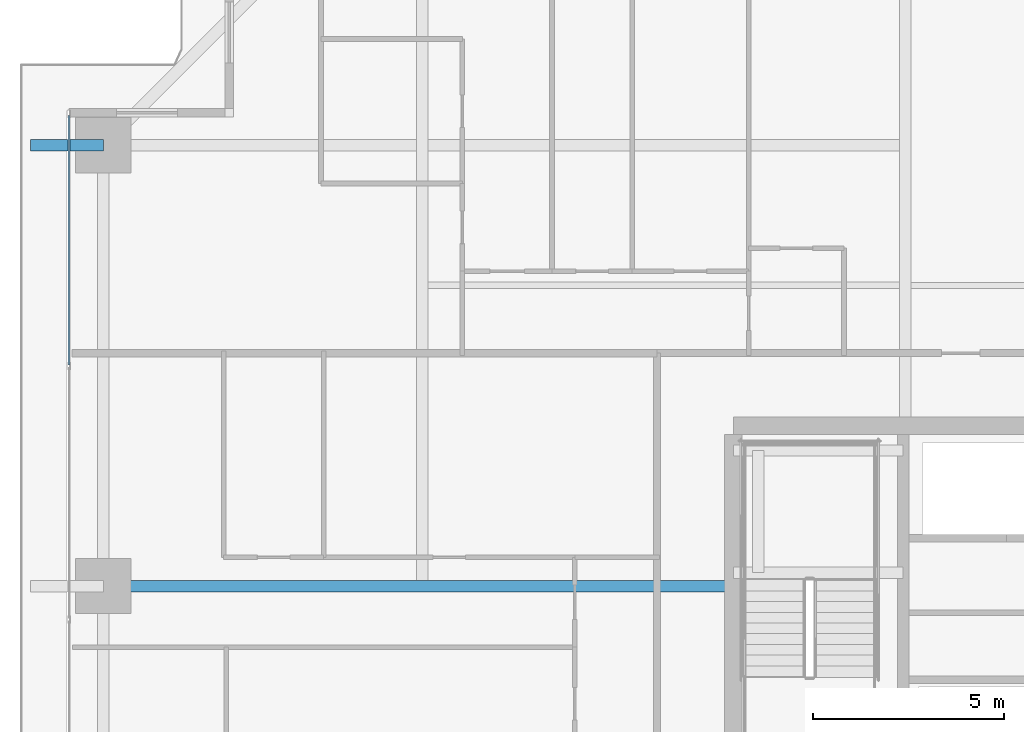
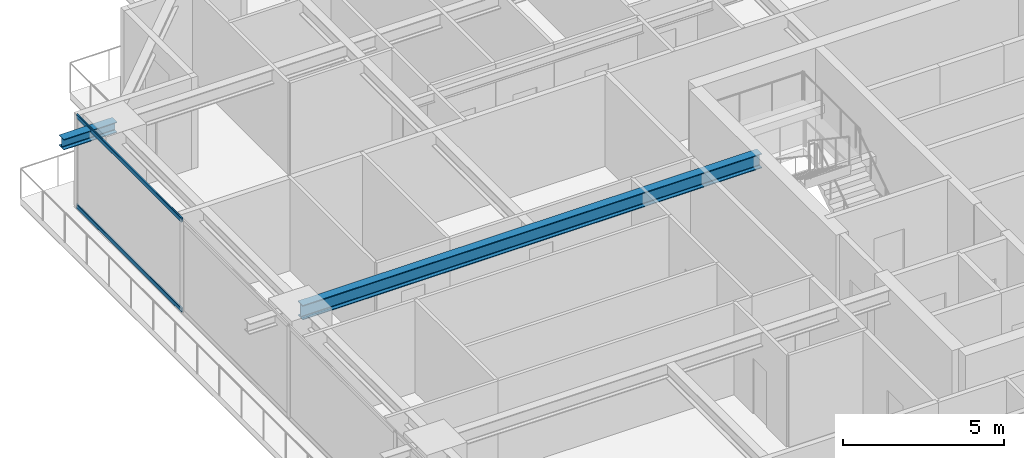
# One storey, part 17 of 39: 2 beams, 2 members, 1 element without a shape of its own.
"""IFC4 building model written with IfcOpenShell, lengths in metres."""

from ifc_helpers import new_model, si_unit, direction, frame, origin, origin_2d, place, context, subcontext, project, spatial, hollow_rectangle, i_section, extrude, source, transform, mapped, material, layer, layer_set, material_profile, profile_set, type_object, element, aggregate, save


model = new_model("IFC4")

# Units and contexts
model_context = context("Model", 3, precision=1e-05, world=origin(), true_north=direction((0.0, 1.0)))
body_context = subcontext(model_context, "Body", "Model", "MODEL_VIEW")
ifc_project = project(units=[si_unit("LENGTHUNIT", "METRE"), si_unit("AREAUNIT", "SQUARE_METRE"), si_unit("VOLUMEUNIT", "CUBIC_METRE"), si_unit("PLANEANGLEUNIT", "RADIAN"), si_unit("MASSUNIT", "GRAM", prefix="KILO")], contexts=[model_context])

# Site, building, storey
site_placement = place(None, origin())
site = spatial("IfcSite", under=ifc_project, at=site_placement, CompositionType="ELEMENT")
building_placement = place(site_placement, origin())
building = spatial("IfcBuilding", under=site, at=building_placement, Name="Serunith Strait Residences", CompositionType="ELEMENT")
storey_placement = place(building_placement, frame((0.0, 0.0, 94.199951171875)))
storey = spatial("IfcBuildingStorey", under=building, at=storey_placement, Name="L23", CompositionType="ELEMENT", Elevation=94.199951171875)

# Beams
ifc_material_1 = material(Name="Steel S355J2", Category="steel")
ifc_material_profile_1 = material_profile(ifc_material_1, i_section(OverallWidth=0.300048828125, OverallDepth=0.550048828125, WebThickness=0.014892578125, FlangeThickness=0.029052734375, FilletRadius=0.027099609375, at=origin_2d()), Name="HEB 550")
ifc_profile_set_1 = profile_set([ifc_material_profile_1], Name="Steel S355J2")
beam_type_1 = type_object("IfcBeamType", Name="BM-HEB550", PredefinedType="BEAM", material=ifc_profile_set_1)
shared_shape_1 = source(origin(), body_context, "Body", "SweptSolid", [
    extrude(i_section(OverallWidth=0.300048828125, OverallDepth=0.550048828125, WebThickness=0.014892578125, FlangeThickness=0.029052734375, FilletRadius=0.027099609375, at=origin_2d()), origin(), (0.0, 0.0, 1.0), 16.5),
])
beam_1_placement = place(storey_placement, frame((23.39990234375, 29.39990234375, 3.212158203125), z_axis=(-1.0, 0.0, 0.0), x_axis=(0.0, -1.0, 0.0)))
element("IfcBeam", 1, at=beam_1_placement, inside=storey, type_object=beam_type_1, Name="L23 Primary Floor Girder TC-W3", PredefinedType="BEAM", context=body_context, shape_type="MappedRepresentation", body=[
    mapped(shared_shape_1, transform((0.0, 0.0, 0.0), scale=1.0)),
])
ifc_material_profile_2 = material_profile(ifc_material_1, i_section(OverallWidth=0.300048828125, OverallDepth=0.39990234375, WebThickness=0.013427734375, FlangeThickness=0.02392578125, FilletRadius=0.027099609375, at=origin_2d()), Name="HEB 400")
ifc_profile_set_2 = profile_set([ifc_material_profile_2], Name="Steel S355J2")
beam_type_2 = type_object("IfcBeamType", Name="BM-HEB400", PredefinedType="BEAM", material=ifc_profile_set_2)
shared_shape_2 = source(origin(), body_context, "Body", "SweptSolid", [
    extrude(i_section(OverallWidth=0.300048828125, OverallDepth=0.39990234375, WebThickness=0.013427734375, FlangeThickness=0.02392578125, FilletRadius=0.027099609375, at=origin_2d()), origin(), (0.0, 0.0, 1.0), 1.909912109375),
])
beam_2_placement = place(storey_placement, frame((6.89990234375, 40.949951171875, 3.257080078125), z_axis=(-1.0, 0.0, 0.0), x_axis=(0.0, -1.0, 0.0)))
element("IfcBeam", 2, at=beam_2_placement, inside=storey, type_object=beam_type_2, Name="L24 Cantilevered Balcony Rib TC-W4", PredefinedType="BEAM", context=body_context, shape_type="MappedRepresentation", body=[
    mapped(shared_shape_2, transform((0.0, 0.0, 0.0), scale=1.0)),
])

# Curtain wall, members
ifc_material_2 = material(Name="Pale-Champagne Anodised Aluminium", Category="aluminium")
ifc_layer = layer(ifc_material_2, 0.199951171875, Name="Pale-Champagne Anodised Aluminium")
ifc_layer_set = layer_set([ifc_layer], Name="Pale-Champagne Anodised Aluminium")
curtain_wall_type = type_object("IfcCurtainWallType", Name="CW-SYS1", PredefinedType="NOTDEFINED", material=ifc_layer_set)
curtain_wall_placement = place(storey_placement, origin())
curtain_wall = element("IfcCurtainWall", 3, at=curtain_wall_placement, inside=storey, type_object=curtain_wall_type, Name="L23 W Unitised Fritted Curtain Wall", PredefinedType="NOTDEFINED")
ifc_material_profile_3 = material_profile(ifc_material_2, hollow_rectangle(XDim=0.06005859375, YDim=0.159912109375, WallThickness=0.00341796875, InnerFilletRadius=0.00537109375, OuterFilletRadius=0.0087890625, at=origin_2d()), Name="ALU 160x60x3.5")
ifc_profile_set_3 = profile_set([ifc_material_profile_3], Name="Pale-Champagne Anodised Aluminium")
member_type = type_object("IfcMemberType", Name="CW-SYS1-TRAN", PredefinedType="USERDEFINED", material=ifc_profile_set_3)
shared_shape_3 = source(origin(), body_context, "Body", "SweptSolid", [
    extrude(hollow_rectangle(XDim=0.06005859375, YDim=0.159912109375, WallThickness=0.00341796875, InnerFilletRadius=0.00537109375, OuterFilletRadius=0.0087890625, at=origin_2d()), origin(), (0.0, 0.0, 1.0), 6.534912109375),
])
member_1_placement = place(storey_placement, frame((6.0, 41.72998046875, 0.030029296875), z_axis=(0.0, -1.0, 0.0), x_axis=(1.0, 0.0, 0.0)))
member_1 = element("IfcMember", 4, at=member_1_placement, type_object=member_type, Name="CW-1 transom 1.1", ObjectType="TRANSOM", PredefinedType="USERDEFINED", context=body_context, shape_type="MappedRepresentation", body=[
    mapped(shared_shape_3, transform((0.0, 0.0, 0.0), scale=1.0)),
])
member_2_placement = place(storey_placement, frame((6.0, 41.72998046875, 3.445068359375), z_axis=(0.0, -1.0, 0.0), x_axis=(1.0, 0.0, 0.0)))
member_2 = element("IfcMember", 5, at=member_2_placement, type_object=member_type, Name="CW-1 transom 1.2", ObjectType="TRANSOM", PredefinedType="USERDEFINED", context=body_context, shape_type="MappedRepresentation", body=[
    mapped(shared_shape_3, transform((0.0, 0.0, 0.0), scale=1.0)),
])
aggregate(curtain_wall, [member_1, member_2])

save(model, "model.ifc")
